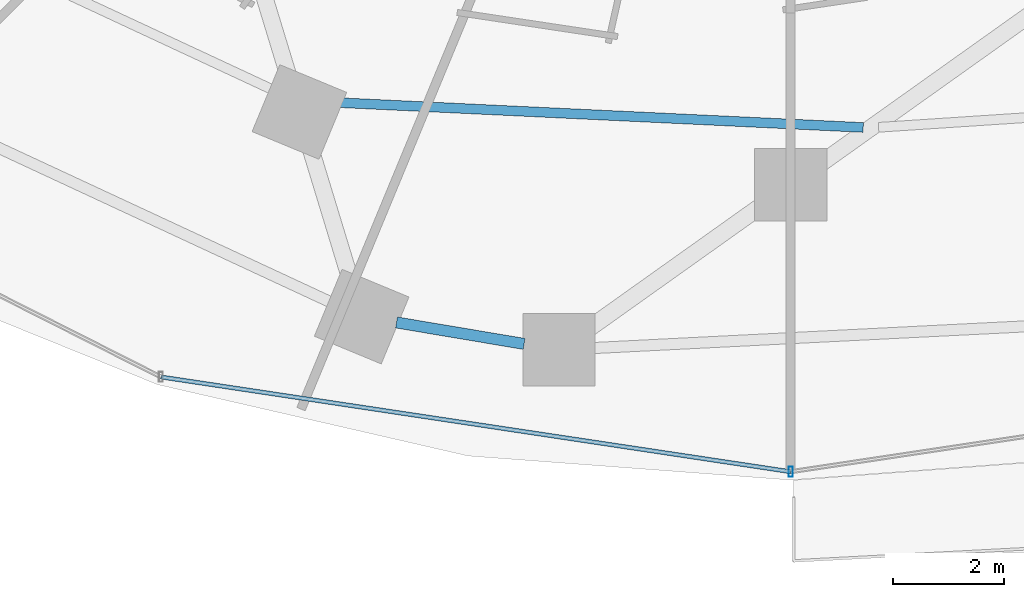
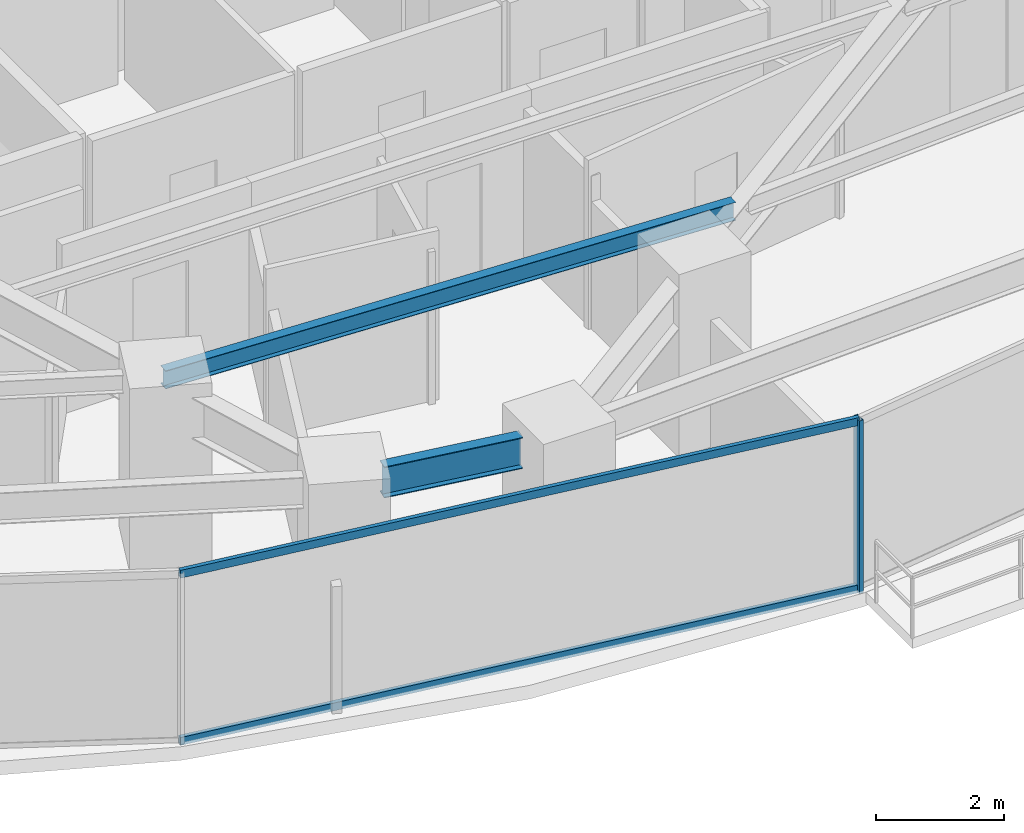
# One storey, part 6 of 34: 3 members, 2 beams, 1 element without a shape of its own.
"""IFC4 building model written with IfcOpenShell, lengths in metres."""

from ifc_helpers import new_model, si_unit, direction, frame, origin, origin_2d, place, context, subcontext, project, spatial, hollow_rectangle, i_section, extrude, material, material_profile, profile_set, type_object, element, aggregate, save


model = new_model("IFC4")

# Units and contexts
model_context = context("Model", 3, precision=1e-05, world=origin(), true_north=direction((0.0, 1.0)))
body_context = subcontext(model_context, "Body", "Model", "MODEL_VIEW")
ifc_project = project(units=[si_unit("LENGTHUNIT", "METRE"), si_unit("AREAUNIT", "SQUARE_METRE"), si_unit("VOLUMEUNIT", "CUBIC_METRE"), si_unit("PLANEANGLEUNIT", "RADIAN"), si_unit("MASSUNIT", "GRAM", prefix="KILO")], contexts=[model_context])

# Site, building, storey
site_placement = place(None, origin())
site = spatial("IfcSite", under=ifc_project, at=site_placement, CompositionType="ELEMENT")
building_placement = place(site_placement, origin())
building = spatial("IfcBuilding", under=site, at=building_placement, Name="Vorneva Point Tower", CompositionType="ELEMENT")
storey_placement = place(building_placement, frame((0.0, 0.0, 31.0)))
storey = spatial("IfcBuildingStorey", under=building, at=storey_placement, Name="L07", CompositionType="ELEMENT", Elevation=31.0)

# Beams
ifc_material_1 = material(Name="Steel S355", Category="steel")
ifc_material_profile_1 = material_profile(ifc_material_1, i_section(OverallWidth=0.174072265625, OverallDepth=0.345947265625, WebThickness=0.006103515625, FlangeThickness=0.009033203125, at=origin_2d()), Name="35B1")
ifc_profile_set_1 = profile_set([ifc_material_profile_1], Name="Steel S355")
beam_type_1 = type_object("IfcBeamType", Name="BM-SEC-35B1", PredefinedType="BEAM", material=ifc_profile_set_1)
beam_1_placement = place(storey_placement, frame((29.254638671875, 10.3076171875, 3.06689453125), z_axis=(0.998880676797, -0.047301094297, 0.0), x_axis=(0.047301094297, 0.998880676797, 0.0)))
element("IfcBeam", 1, at=beam_1_placement, inside=storey, type_object=beam_type_1, Name="L07 Secondary Floor Beam 1.12", PredefinedType="BEAM", context=body_context, shape_type="SweptSolid", body=[
    extrude(i_section(OverallWidth=0.174072265625, OverallDepth=0.345947265625, WebThickness=0.006103515625, FlangeThickness=0.009033203125, at=origin_2d()), origin(), (0.0, 0.0, 1.0), 10.0595703125),
])
ifc_material_profile_2 = material_profile(ifc_material_1, i_section(OverallWidth=0.198974609375, OverallDepth=0.595947265625, WebThickness=0.010009765625, FlangeThickness=0.014892578125, at=origin_2d()), Name="60B1")
ifc_profile_set_2 = profile_set([ifc_material_profile_2], Name="Steel S355")
beam_type_2 = type_object("IfcBeamType", Name="BM-SPN-60B1", PredefinedType="SPANDREL", material=ifc_profile_set_2)
beam_2_placement = place(storey_placement, frame((30.923095703125, 6.330078125, 2.94189453125), z_axis=(0.986171485548, -0.165728093852, 0.0), x_axis=(0.165728093852, 0.986171485548, 0.0)))
element("IfcBeam", 2, at=beam_2_placement, inside=storey, type_object=beam_type_2, Name="L07 Perimeter Spandrel Ring Beam 12", PredefinedType="SPANDREL", context=body_context, shape_type="SweptSolid", body=[
    extrude(i_section(OverallWidth=0.198974609375, OverallDepth=0.595947265625, WebThickness=0.010009765625, FlangeThickness=0.014892578125, at=origin_2d()), origin(), (0.0, 0.0, 1.0), 2.3232421875),
])

# Curtain wall, members
ifc_material_2 = material(Name="Pale anodised aluminium", Category="aluminium")
curtain_wall_type = type_object("IfcCurtainWallType", Name="CW-HTL-SYS", PredefinedType="NOTDEFINED", material=ifc_material_2)
curtain_wall_placement = place(storey_placement, origin())
curtain_wall = element("IfcCurtainWall", 3, at=curtain_wall_placement, inside=storey, type_object=curtain_wall_type, Name="L07 Unitised Curtain Wall CW-L07-R04", PredefinedType="NOTDEFINED")
ifc_material_profile_3 = material_profile(ifc_material_2, hollow_rectangle(XDim=0.074951171875, YDim=0.179931640625, WallThickness=0.00390625, at=origin_2d()), Name="AL-MUL 180x75x4")
ifc_profile_set_3 = profile_set([ifc_material_profile_3], Name="Pale anodised aluminium")
member_type_1 = type_object("IfcMemberType", Name="CW-MUL-180", PredefinedType="MULLION", material=ifc_profile_set_3)
member_1_placement = place(storey_placement, frame((38.0, 3.64990234375, -0.0400390625), z_axis=(0.0, 0.0, 1.0), x_axis=(1.0, 0.0, 0.0)))
member_1 = element("IfcMember", 4, at=member_1_placement, type_object=member_type_1, Name="CW-L07-R04 Mullion 03", PredefinedType="MULLION", context=body_context, shape_type="SweptSolid", body=[
    extrude(hollow_rectangle(XDim=0.074951171875, YDim=0.179931640625, WallThickness=0.00390625, at=origin_2d()), origin(), (0.0, 0.0, 1.0), 3.31005859375),
])
ifc_material_profile_4 = material_profile(ifc_material_2, hollow_rectangle(XDim=0.074951171875, YDim=0.14990234375, WallThickness=0.00390625, at=origin_2d()), Name="AL-TRN 150x75x4")
ifc_profile_set_4 = profile_set([ifc_material_profile_4], Name="Pale anodised aluminium")
member_type_2 = type_object("IfcMemberType", Name="CW-TRN-150", PredefinedType="USERDEFINED", material=ifc_profile_set_4)
member_2_placement = place(storey_placement, frame((26.691650390625, 5.351318359375, 0.02001953125), z_axis=(0.988870014575, -0.148782036131, 0.0), x_axis=(0.148782036131, 0.988870014575, 0.0)))
member_2 = element("IfcMember", 5, at=member_2_placement, type_object=member_type_2, Name="CW-L07-R04 Transom 02.1", ObjectType="TRANSOM", PredefinedType="USERDEFINED", context=body_context, shape_type="SweptSolid", body=[
    extrude(hollow_rectangle(XDim=0.074951171875, YDim=0.14990234375, WallThickness=0.00390625, at=origin_2d()), origin(), (0.0, 0.0, 1.0), 11.435546875),
])
member_3_placement = place(storey_placement, frame((26.691650390625, 5.351318359375, 3.219970703125), z_axis=(0.988870014575, -0.148782036131, 0.0), x_axis=(0.148782036131, 0.988870014575, 0.0)))
member_3 = element("IfcMember", 6, at=member_3_placement, type_object=member_type_2, Name="CW-L07-R04 Transom 02.2", ObjectType="TRANSOM", PredefinedType="USERDEFINED", context=body_context, shape_type="SweptSolid", body=[
    extrude(hollow_rectangle(XDim=0.074951171875, YDim=0.14990234375, WallThickness=0.00390625, at=origin_2d()), origin(), (0.0, 0.0, 1.0), 11.435546875),
])
aggregate(curtain_wall, [member_1, member_2, member_3])

save(model, "model.ifc")
